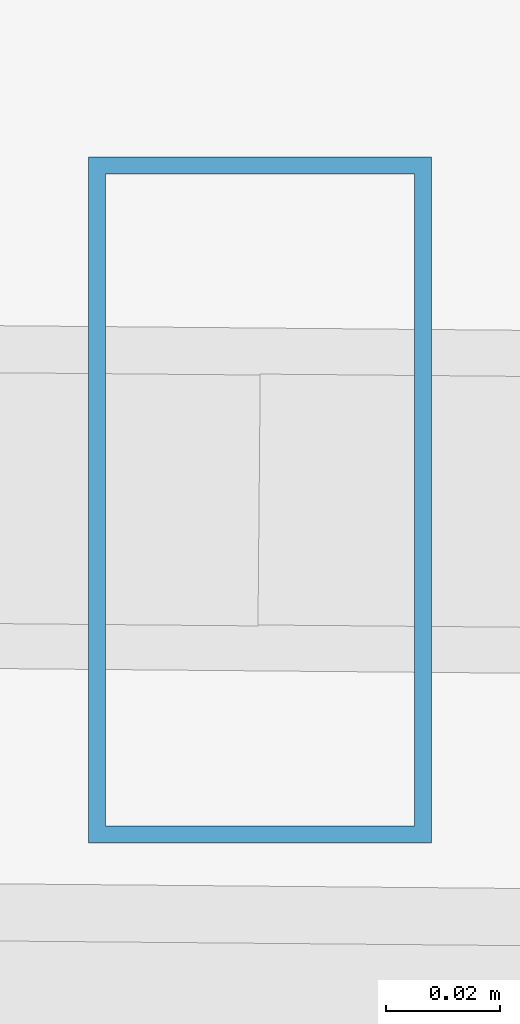
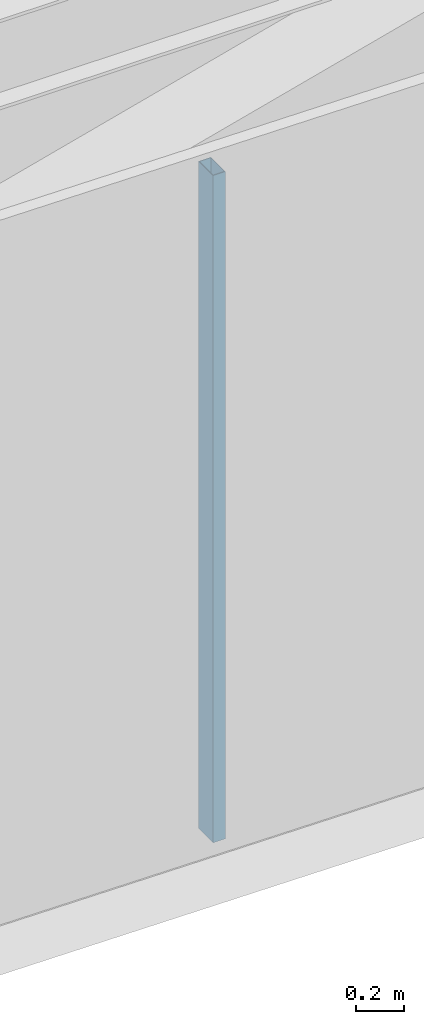
# One storey, part 14 of 47: 1 member, 1 element without a shape of its own.
"""IFC4 building model written with IfcOpenShell, lengths in metres."""

from ifc_helpers import new_model, si_unit, direction, frame, origin, origin_2d, place, context, subcontext, project, spatial, hollow_rectangle, extrude, source, transform, mapped, material, material_profile, profile_set, type_object, type_shapes, element, aggregate, save


model = new_model("IFC4")

# Units and contexts
model_context = context("Model", 3, precision=1e-05, world=origin(), true_north=direction((0.0, 1.0)))
body_context = subcontext(model_context, "Body", "Model", "MODEL_VIEW")
ifc_project = project(units=[si_unit("LENGTHUNIT", "METRE"), si_unit("AREAUNIT", "SQUARE_METRE"), si_unit("VOLUMEUNIT", "CUBIC_METRE"), si_unit("PLANEANGLEUNIT", "RADIAN"), si_unit("MASSUNIT", "GRAM", prefix="KILO")], contexts=[model_context])

# Site, building, storey
site_placement = place(None, origin())
site = spatial("IfcSite", under=ifc_project, at=site_placement, CompositionType="ELEMENT")
building_placement = place(site_placement, origin())
building = spatial("IfcBuilding", under=site, at=building_placement, Name="Caelisora Broadcast Tower", CompositionType="ELEMENT")
storey_placement = place(building_placement, frame((0.0, 0.0, 229.85009765625)))
storey = spatial("IfcBuildingStorey", under=building, at=storey_placement, Name="L60", CompositionType="ELEMENT", Elevation=229.85009765625)

# Curtain wall, member
ifc_material_1 = material(Name="Unitised Aluminium Insulated Shadow-Box Spandrel Curtain Wall", Category="aluminium")
curtain_wall_type = type_object("IfcCurtainWallType", Name="CW-SP3", PredefinedType="NOTDEFINED", material=ifc_material_1)
curtain_wall_placement = place(storey_placement, origin())
curtain_wall = element("IfcCurtainWall", 1, at=curtain_wall_placement, inside=storey, type_object=curtain_wall_type, Name="L60 curtain wall CW-SP3", PredefinedType="NOTDEFINED")
ifc_material_2 = material(Name="Aluminium 6063-T6 Anodised Terracotta Bronze", Category="aluminium")
ifc_material_profile = material_profile(ifc_material_2, hollow_rectangle(XDim=0.06005859375, YDim=0.1201171875, WallThickness=0.0029296875, at=origin_2d()), Name="Aluminium 6063-T6 Anodised Terracotta Bronze")
ifc_profile_set = profile_set([ifc_material_profile], Name="Aluminium 6063-T6 Anodised Terracotta Bronze")
member_type = type_object("IfcMemberType", Name="CWM-04", PredefinedType="MULLION", material=ifc_profile_set)
shared_shape = source(origin(), body_context, "Body", "SweptSolid", [
    extrude(hollow_rectangle(XDim=0.06005859375, YDim=0.1201171875, WallThickness=0.0029296875, at=origin_2d()), origin(), (0.0, 0.0, 1.0), 3.39990234375),
])
type_shapes(member_type, [shared_shape])
member_placement = place(storey_placement, frame((40.16455078125, 7.415771484375, 0.0), z_axis=(0.0, 0.0, 1.0), x_axis=(1.0, 0.0, 0.0)))
member = element("IfcMember", 2, at=member_placement, type_object=member_type, Name="L60-CW-B06 mullion #1", PredefinedType="MULLION", context=body_context, shape_type="MappedRepresentation", body=[
    mapped(shared_shape, transform((0.0, 0.0, 0.0), scale=1.0)),
])
aggregate(curtain_wall, [member])

save(model, "model.ifc")
